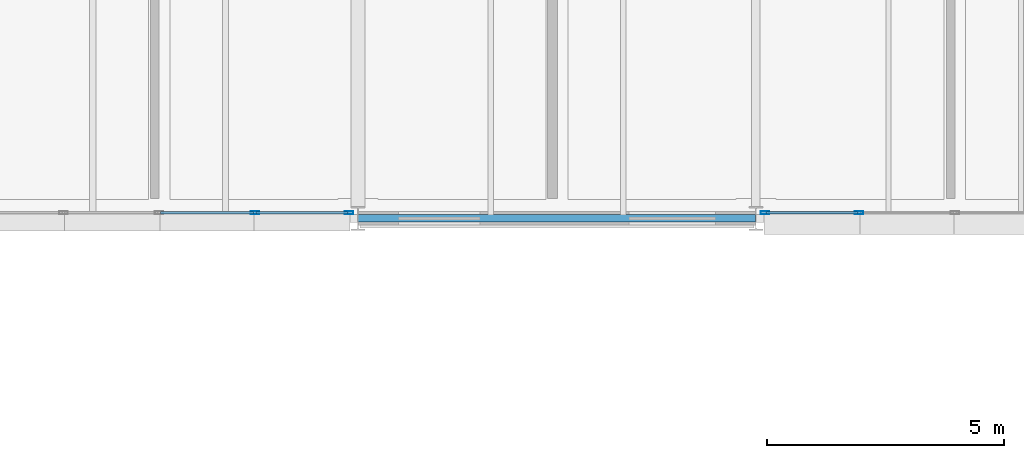
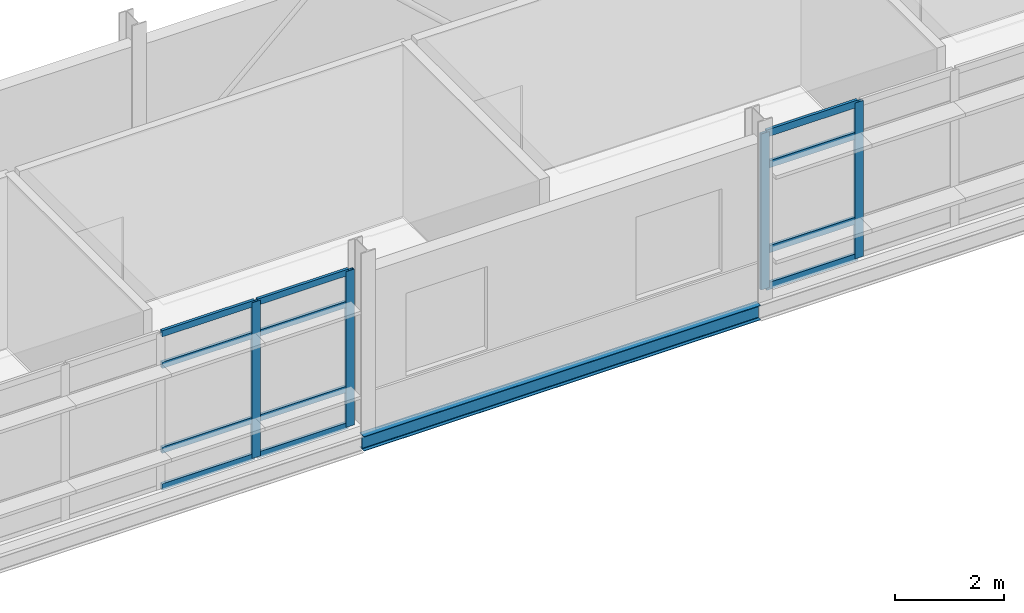
# One storey, part 69 of 151: 16 members, 1 beam, 2 elements without a shape of their own.
"""IFC4 building model written with IfcOpenShell, lengths in metres."""

from ifc_helpers import new_model, si_unit, direction, frame, origin, origin_2d, place, context, subcontext, project, spatial, hollow_rectangle, i_section, extrude, material, material_profile, profile_set, type_object, element, aggregate, save


model = new_model("IFC4")

# Units and contexts
model_context = context("Model", 3, precision=1e-05, world=origin(), true_north=direction((0.0, 1.0)))
body_context = subcontext(model_context, "Body", "Model", "MODEL_VIEW")
ifc_project = project(units=[si_unit("LENGTHUNIT", "METRE"), si_unit("AREAUNIT", "SQUARE_METRE"), si_unit("VOLUMEUNIT", "CUBIC_METRE"), si_unit("PLANEANGLEUNIT", "RADIAN"), si_unit("MASSUNIT", "GRAM", prefix="KILO")], contexts=[model_context])

# Site, building, storey
site_placement = place(None, origin())
site = spatial("IfcSite", under=ifc_project, at=site_placement, CompositionType="ELEMENT")
building_placement = place(site_placement, origin())
building = spatial("IfcBuilding", under=site, at=building_placement, Name="Mersafa Astral City Hall", CompositionType="ELEMENT")
storey_placement = place(building_placement, frame((0.0, 0.0, 9.89990234375)))
storey = spatial("IfcBuildingStorey", under=building, at=storey_placement, Name="L02", CompositionType="ELEMENT", Elevation=9.89990234375)

# Curtain wall, members
ifc_material_1 = material(Name="Anodised bronze aluminium framing", Category="aluminium")
curtain_wall_type_1 = type_object("IfcCurtainWallType", Name="ENV-CW-2", PredefinedType="USERDEFINED", material=ifc_material_1)
curtain_wall_1_placement = place(storey_placement, origin())
curtain_wall_1 = element("IfcCurtainWall", 1, at=curtain_wall_1_placement, inside=storey, type_object=curtain_wall_type_1, Name="L02 Unitised solar curtain wall 139", ObjectType="UNITISED CURTAIN WALL", PredefinedType="USERDEFINED")
ifc_material_profile_1 = material_profile(ifc_material_1, hollow_rectangle(XDim=0.06005859375, YDim=0.179931640625, WallThickness=0.00390625, at=origin_2d()), Name="RHS 60x180x4")
ifc_profile_set_1 = profile_set([ifc_material_profile_1], Name="Anodised bronze aluminium framing")
member_type_1 = type_object("IfcMemberType", Name="ENV-CW-MUL-1", PredefinedType="MULLION", material=ifc_profile_set_1)
member_1_placement = place(storey_placement, frame((73.4189453125, 117.719970703125, -0.001953125), z_axis=(0.0, 0.0, 1.0), x_axis=(0.0, 1.0, 0.0)))
member_1 = element("IfcMember", 2, at=member_1_placement, type_object=member_type_1, Name="CW-2 mullion 4", PredefinedType="MULLION", context=body_context, shape_type="SweptSolid", body=[
    extrude(hollow_rectangle(XDim=0.06005859375, YDim=0.179931640625, WallThickness=0.00390625, at=origin_2d()), origin(), (0.0, 0.0, 1.0), 3.489013671875),
])
member_2_placement = place(storey_placement, frame((75.407958984375, 117.719970703125, -0.001953125), z_axis=(0.0, 0.0, 1.0), x_axis=(0.0, 1.0, 0.0)))
member_2 = element("IfcMember", 3, at=member_2_placement, type_object=member_type_1, Name="CW-2 mullion 5", PredefinedType="MULLION", context=body_context, shape_type="SweptSolid", body=[
    extrude(hollow_rectangle(XDim=0.06005859375, YDim=0.179931640625, WallThickness=0.00390625, at=origin_2d()), origin(), (0.0, 0.0, 1.0), 3.489013671875),
])

curtain_wall_type_2 = type_object("IfcCurtainWallType", Name="ENV-CW-3", PredefinedType="USERDEFINED", material=ifc_material_1)
curtain_wall_2_placement = place(storey_placement, origin())
curtain_wall_2 = element("IfcCurtainWall", 4, at=curtain_wall_2_placement, inside=storey, type_object=curtain_wall_type_2, Name="L02 Unitised solar curtain wall 140", ObjectType="UNITISED CURTAIN WALL", PredefinedType="USERDEFINED")
member_3_placement = place(storey_placement, frame((84.19189453125, 117.719970703125, -0.001953125), z_axis=(0.0, 0.0, 1.0), x_axis=(0.0, 1.0, 0.0)))
member_3 = element("IfcMember", 5, at=member_3_placement, type_object=member_type_1, Name="CW-3 mullion 1", PredefinedType="MULLION", context=body_context, shape_type="SweptSolid", body=[
    extrude(hollow_rectangle(XDim=0.06005859375, YDim=0.179931640625, WallThickness=0.00390625, at=origin_2d()), origin(), (0.0, 0.0, 1.0), 3.489013671875),
])
member_4_placement = place(storey_placement, frame((86.180908203125, 117.719970703125, -0.001953125), z_axis=(0.0, 0.0, 1.0), x_axis=(0.0, 1.0, 0.0)))
member_4 = element("IfcMember", 6, at=member_4_placement, type_object=member_type_1, Name="CW-3 mullion 2", PredefinedType="MULLION", context=body_context, shape_type="SweptSolid", body=[
    extrude(hollow_rectangle(XDim=0.06005859375, YDim=0.179931640625, WallThickness=0.00390625, at=origin_2d()), origin(), (0.0, 0.0, 1.0), 3.489013671875),
])

# Member
ifc_material_profile_2 = material_profile(ifc_material_1, hollow_rectangle(XDim=0.06005859375, YDim=0.139892578125, WallThickness=0.00390625, at=origin_2d()), Name="RHS 60x140x4")
ifc_profile_set_2 = profile_set([ifc_material_profile_2], Name="Anodised bronze aluminium framing")
member_type_2 = type_object("IfcMemberType", Name="ENV-CW-TRN-1", PredefinedType="USERDEFINED", material=ifc_profile_set_2)
member_5_placement = place(storey_placement, frame((71.429931640625, 117.719970703125, 0.028076171875), z_axis=(1.0, 0.0, 0.0), x_axis=(0.0, 1.0, 0.0)))
member_5 = element("IfcMember", 7, at=member_5_placement, type_object=member_type_2, Name="CW-2 transom 3.1", ObjectType="TRANSOM", PredefinedType="USERDEFINED", context=body_context, shape_type="SweptSolid", body=[
    extrude(hollow_rectangle(XDim=0.06005859375, YDim=0.139892578125, WallThickness=0.00390625, at=origin_2d()), origin(), (0.0, 0.0, 1.0), 1.958984375),
])

member_6_placement = place(storey_placement, frame((71.429931640625, 117.719970703125, 0.85009765625), z_axis=(1.0, 0.0, 0.0), x_axis=(0.0, 1.0, 0.0)))
member_6 = element("IfcMember", 8, at=member_6_placement, type_object=member_type_2, Name="CW-2 transom 3.2", ObjectType="TRANSOM", PredefinedType="USERDEFINED", context=body_context, shape_type="SweptSolid", body=[
    extrude(hollow_rectangle(XDim=0.06005859375, YDim=0.139892578125, WallThickness=0.00390625, at=origin_2d()), origin(), (0.0, 0.0, 1.0), 1.958984375),
])

member_7_placement = place(storey_placement, frame((71.429931640625, 117.719970703125, 2.75), z_axis=(1.0, 0.0, 0.0), x_axis=(0.0, 1.0, 0.0)))
member_7 = element("IfcMember", 9, at=member_7_placement, type_object=member_type_2, Name="CW-2 transom 3.3", ObjectType="TRANSOM", PredefinedType="USERDEFINED", context=body_context, shape_type="SweptSolid", body=[
    extrude(hollow_rectangle(XDim=0.06005859375, YDim=0.139892578125, WallThickness=0.00390625, at=origin_2d()), origin(), (0.0, 0.0, 1.0), 1.958984375),
])

member_8_placement = place(storey_placement, frame((71.429931640625, 117.719970703125, 3.45703125), z_axis=(1.0, 0.0, 0.0), x_axis=(0.0, 1.0, 0.0)))
member_8 = element("IfcMember", 10, at=member_8_placement, type_object=member_type_2, Name="CW-2 transom 3.4", ObjectType="TRANSOM", PredefinedType="USERDEFINED", context=body_context, shape_type="SweptSolid", body=[
    extrude(hollow_rectangle(XDim=0.06005859375, YDim=0.139892578125, WallThickness=0.00390625, at=origin_2d()), origin(), (0.0, 0.0, 1.0), 1.958984375),
])

member_9_placement = place(storey_placement, frame((73.448974609375, 117.719970703125, 0.028076171875), z_axis=(1.0, 0.0, 0.0), x_axis=(0.0, 1.0, 0.0)))
member_9 = element("IfcMember", 11, at=member_9_placement, type_object=member_type_2, Name="CW-2 transom 4.1", ObjectType="TRANSOM", PredefinedType="USERDEFINED", context=body_context, shape_type="SweptSolid", body=[
    extrude(hollow_rectangle(XDim=0.06005859375, YDim=0.139892578125, WallThickness=0.00390625, at=origin_2d()), origin(), (0.0, 0.0, 1.0), 1.928955078125),
])

member_10_placement = place(storey_placement, frame((73.448974609375, 117.719970703125, 0.85009765625), z_axis=(1.0, 0.0, 0.0), x_axis=(0.0, 1.0, 0.0)))
member_10 = element("IfcMember", 12, at=member_10_placement, type_object=member_type_2, Name="CW-2 transom 4.2", ObjectType="TRANSOM", PredefinedType="USERDEFINED", context=body_context, shape_type="SweptSolid", body=[
    extrude(hollow_rectangle(XDim=0.06005859375, YDim=0.139892578125, WallThickness=0.00390625, at=origin_2d()), origin(), (0.0, 0.0, 1.0), 1.928955078125),
])

member_11_placement = place(storey_placement, frame((73.448974609375, 117.719970703125, 2.75), z_axis=(1.0, 0.0, 0.0), x_axis=(0.0, 1.0, 0.0)))
member_11 = element("IfcMember", 13, at=member_11_placement, type_object=member_type_2, Name="CW-2 transom 4.3", ObjectType="TRANSOM", PredefinedType="USERDEFINED", context=body_context, shape_type="SweptSolid", body=[
    extrude(hollow_rectangle(XDim=0.06005859375, YDim=0.139892578125, WallThickness=0.00390625, at=origin_2d()), origin(), (0.0, 0.0, 1.0), 1.928955078125),
])

member_12_placement = place(storey_placement, frame((73.448974609375, 117.719970703125, 3.45703125), z_axis=(1.0, 0.0, 0.0), x_axis=(0.0, 1.0, 0.0)))
member_12 = element("IfcMember", 14, at=member_12_placement, type_object=member_type_2, Name="CW-2 transom 4.4", ObjectType="TRANSOM", PredefinedType="USERDEFINED", context=body_context, shape_type="SweptSolid", body=[
    extrude(hollow_rectangle(XDim=0.06005859375, YDim=0.139892578125, WallThickness=0.00390625, at=origin_2d()), origin(), (0.0, 0.0, 1.0), 1.928955078125),
])

aggregate(curtain_wall_1, [member_1, member_2, member_5, member_6, member_7, member_8, member_9, member_10, member_11, member_12])

ifc_material_profile_3 = material_profile(ifc_material_1, hollow_rectangle(XDim=0.06005859375, YDim=0.159912109375, WallThickness=0.00390625, at=origin_2d()), Name="RHS 60x160x4")
ifc_profile_set_3 = profile_set([ifc_material_profile_3], Name="Anodised bronze aluminium framing")
member_type_3 = type_object("IfcMemberType", Name="ENV-CW-TRN-2", PredefinedType="USERDEFINED", material=ifc_profile_set_3)
member_13_placement = place(storey_placement, frame((84.221923828125, 117.719970703125, 0.028076171875), z_axis=(1.0, 0.0, 0.0), x_axis=(0.0, 1.0, 0.0)))
member_13 = element("IfcMember", 15, at=member_13_placement, type_object=member_type_3, Name="CW-3 transom 1.1", ObjectType="TRANSOM", PredefinedType="USERDEFINED", context=body_context, shape_type="SweptSolid", body=[
    extrude(hollow_rectangle(XDim=0.06005859375, YDim=0.159912109375, WallThickness=0.00390625, at=origin_2d()), origin(), (0.0, 0.0, 1.0), 1.928955078125),
])

member_14_placement = place(storey_placement, frame((84.221923828125, 117.719970703125, 0.85009765625), z_axis=(1.0, 0.0, 0.0), x_axis=(0.0, 1.0, 0.0)))
member_14 = element("IfcMember", 16, at=member_14_placement, type_object=member_type_3, Name="CW-3 transom 1.2", ObjectType="TRANSOM", PredefinedType="USERDEFINED", context=body_context, shape_type="SweptSolid", body=[
    extrude(hollow_rectangle(XDim=0.06005859375, YDim=0.159912109375, WallThickness=0.00390625, at=origin_2d()), origin(), (0.0, 0.0, 1.0), 1.928955078125),
])

member_15_placement = place(storey_placement, frame((84.221923828125, 117.719970703125, 2.75), z_axis=(1.0, 0.0, 0.0), x_axis=(0.0, 1.0, 0.0)))
member_15 = element("IfcMember", 17, at=member_15_placement, type_object=member_type_3, Name="CW-3 transom 1.3", ObjectType="TRANSOM", PredefinedType="USERDEFINED", context=body_context, shape_type="SweptSolid", body=[
    extrude(hollow_rectangle(XDim=0.06005859375, YDim=0.159912109375, WallThickness=0.00390625, at=origin_2d()), origin(), (0.0, 0.0, 1.0), 1.928955078125),
])

member_16_placement = place(storey_placement, frame((84.221923828125, 117.719970703125, 3.45703125), z_axis=(1.0, 0.0, 0.0), x_axis=(0.0, 1.0, 0.0)))
member_16 = element("IfcMember", 18, at=member_16_placement, type_object=member_type_3, Name="CW-3 transom 1.4", ObjectType="TRANSOM", PredefinedType="USERDEFINED", context=body_context, shape_type="SweptSolid", body=[
    extrude(hollow_rectangle(XDim=0.06005859375, YDim=0.159912109375, WallThickness=0.00390625, at=origin_2d()), origin(), (0.0, 0.0, 1.0), 1.928955078125),
])

aggregate(curtain_wall_2, [member_3, member_4, member_13, member_14, member_15, member_16])

# Beam
ifc_material_2 = material(Name="Steel S355", Category="steel")
ifc_material_profile_4 = material_profile(ifc_material_2, i_section(OverallWidth=0.159912109375, OverallDepth=0.330078125, WebThickness=0.007568359375, FlangeThickness=0.011474609375, FilletRadius=0.01806640625, at=origin_2d()), Name="IPE 330")
ifc_profile_set_4 = profile_set([ifc_material_profile_4], Name="Steel S355")
beam_type = type_object("IfcBeamType", Name="STR-BM-SPANDREL-IPE330", PredefinedType="SPANDREL", material=ifc_profile_set_4)
beam_placement = place(storey_placement, frame((75.60302734375, 117.60009765625, -0.364990234375), z_axis=(1.0, 0.0, 0.0), x_axis=(0.0, 1.0, 0.0)))
element("IfcBeam", 19, at=beam_placement, inside=storey, type_object=beam_type, Name="L02 Primary girder X 9-14", PredefinedType="SPANDREL", context=body_context, shape_type="SweptSolid", body=[
    extrude(i_section(OverallWidth=0.159912109375, OverallDepth=0.330078125, WebThickness=0.007568359375, FlangeThickness=0.011474609375, FilletRadius=0.01806640625, at=origin_2d()), origin(), (0.0, 0.0, 1.0), 8.39404296875),
])

save(model, "model.ifc")
